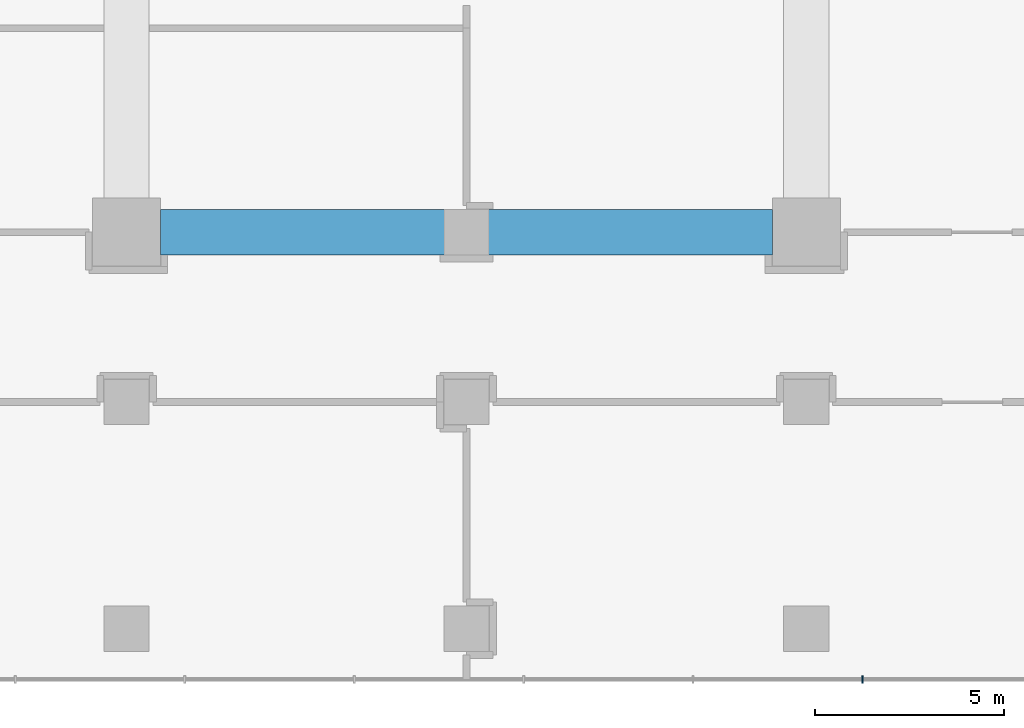
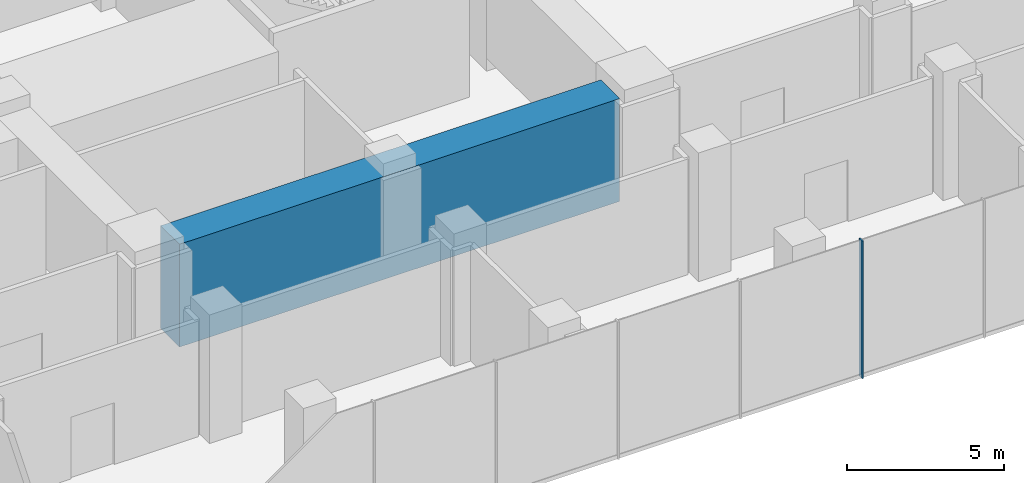
# One storey, part 6 of 36: 1 beam, 1 member, 1 element without a shape of its own.
"""IFC4 building model written with IfcOpenShell, lengths in metres."""

from ifc_helpers import new_model, si_unit, direction, frame, origin, origin_2d, place, context, subcontext, project, spatial, rectangle, extrude, material, layer, layer_set, material_profile, profile_set, type_object, element, aggregate, save


model = new_model("IFC4")

# Units and contexts
model_context = context("Model", 3, precision=1e-05, world=origin(), true_north=direction((0.0, 1.0)))
body_context = subcontext(model_context, "Body", "Model", "MODEL_VIEW")
ifc_project = project(units=[si_unit("LENGTHUNIT", "METRE"), si_unit("AREAUNIT", "SQUARE_METRE"), si_unit("VOLUMEUNIT", "CUBIC_METRE"), si_unit("PLANEANGLEUNIT", "RADIAN"), si_unit("MASSUNIT", "GRAM", prefix="KILO")], contexts=[model_context])

# Site, building, storey
site_placement = place(None, origin())
site = spatial("IfcSite", under=ifc_project, at=site_placement, CompositionType="ELEMENT")
building_placement = place(site_placement, origin())
building = spatial("IfcBuilding", under=site, at=building_placement, Name="Plateau Cross Towers", CompositionType="ELEMENT")
storey_placement = place(building_placement, frame((0.0, 0.0, 21.800048828125)))
storey = spatial("IfcBuildingStorey", under=building, at=storey_placement, Name="L04", CompositionType="ELEMENT", Elevation=21.800048828125)

# Curtain wall, member
ifc_material_1 = material(Name="Dark low-iron laminated glass", Category="glass")
ifc_layer = layer(ifc_material_1, 0.300048828125)
ifc_layer_set = layer_set([ifc_layer], Name="Dark low-iron laminated glass")
curtain_wall_type = type_object("IfcCurtainWallType", Name="Curtain wall structural silicone CW-C", PredefinedType="NOTDEFINED", material=ifc_layer_set)
curtain_wall_placement = place(storey_placement, origin())
curtain_wall = element("IfcCurtainWall", 1, at=curtain_wall_placement, inside=storey, type_object=curtain_wall_type, Name="ENV/P/L04/P-28_-118", PredefinedType="NOTDEFINED")
ifc_material_2 = material(Name="Black anodised aluminium", Category="aluminium")
ifc_material_profile_1 = material_profile(ifc_material_2, rectangle(XDim=0.050048828125, YDim=0.199951171875, at=origin_2d()), Name="MULLION 50x200")
ifc_profile_set_1 = profile_set([ifc_material_profile_1], Name="Black anodised aluminium")
member_type = type_object("IfcMemberType", Name="Mullion 50x200 structural silicone", PredefinedType="MULLION", material=ifc_profile_set_1)
member_placement = place(storey_placement, frame((55.487548828125, -11.85009765625, -0.35009765625), z_axis=(0.0, 0.0, 1.0), x_axis=(1.0, 0.0, 0.0)))
member = element("IfcMember", 2, at=member_placement, type_object=member_type, Name="CW-C mullion 14", PredefinedType="MULLION", context=body_context, shape_type="SweptSolid", body=[
    extrude(rectangle(XDim=0.050048828125, YDim=0.199951171875, at=origin_2d()), origin(), (0.0, 0.0, 1.0), 5.35009765625),
])
aggregate(curtain_wall, [member])

# Beam
ifc_material_3 = material(Name="Concrete C60/75", Category="concrete")
ifc_material_profile_2 = material_profile(ifc_material_3, rectangle(XDim=1.199951171875, YDim=4.0, at=origin_2d()), Name="RC 1200x4000")
ifc_profile_set_2 = profile_set([ifc_material_profile_2], Name="Concrete C60/75")
beam_type = type_object("IfcBeamType", Name="Transfer girder RC 1200x4000", PredefinedType="BEAM", material=ifc_profile_set_2)
beam_placement = place(storey_placement, frame((36.89990234375, 0.0, 2.5), z_axis=(1.0, 0.0, 0.0), x_axis=(0.0, 1.0, 0.0)))
element("IfcBeam", 3, at=beam_placement, inside=storey, type_object=beam_type, Name="TG-S-1", PredefinedType="BEAM", context=body_context, shape_type="SweptSolid", body=[
    extrude(rectangle(XDim=1.199951171875, YDim=4.0, at=origin_2d()), origin(), (0.0, 0.0, 1.0), 16.2001953125),
])

save(model, "model.ifc")
